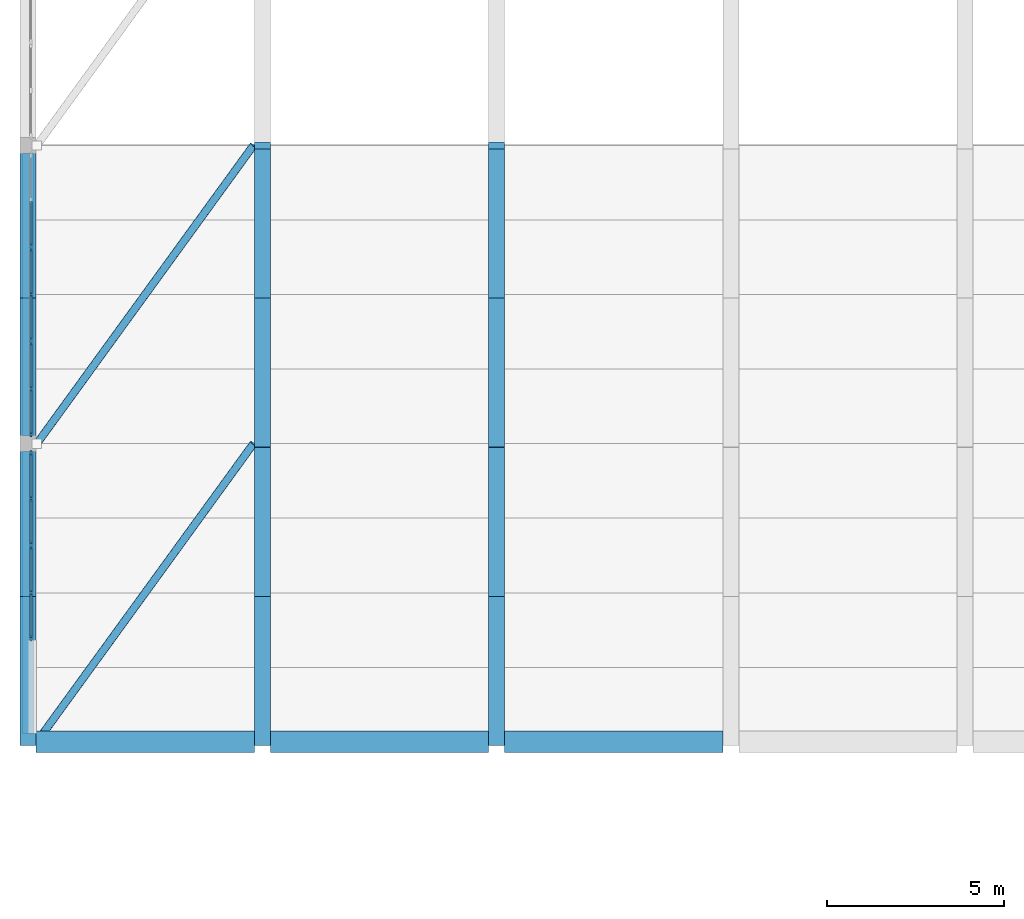
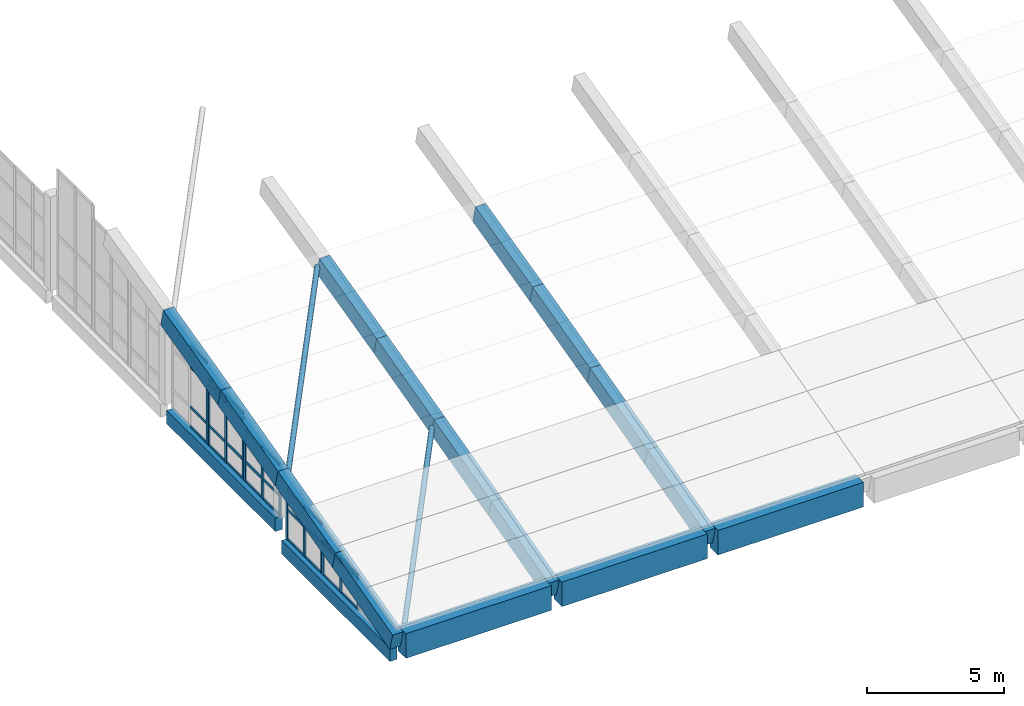
# One storey, part 3 of 78: 45 members, 17 beams, 5 elements without a shape of their own.
"""IFC4 building model written with IfcOpenShell, lengths in metres."""

from ifc_helpers import new_model, si_unit, direction, frame, origin, origin_2d, place, context, subcontext, project, spatial, rectangle, hollow_circle, extrude, material, material_profile, profile_set, type_object, element, aggregate, save


model = new_model("IFC4")

# Units and contexts
model_context = context("Model", 3, precision=1e-05, world=origin(), true_north=direction((0.0, 1.0)))
body_context = subcontext(model_context, "Body", "Model", "MODEL_VIEW")
ifc_project = project(units=[si_unit("LENGTHUNIT", "METRE"), si_unit("AREAUNIT", "SQUARE_METRE"), si_unit("VOLUMEUNIT", "CUBIC_METRE"), si_unit("PLANEANGLEUNIT", "RADIAN"), si_unit("MASSUNIT", "GRAM", prefix="KILO")], contexts=[model_context])

# Site, building, storey
site_placement = place(None, origin())
site = spatial("IfcSite", under=ifc_project, at=site_placement, CompositionType="ELEMENT")
building_placement = place(site_placement, origin())
building = spatial("IfcBuilding", under=site, at=building_placement, Name="Qaldarim Faculty of Natural and Applied Sciences", CompositionType="ELEMENT")
storey_placement = place(building_placement, frame((0.0, 0.0, 18.60009765625)))
storey = spatial("IfcBuildingStorey", under=building, at=storey_placement, Name="L04", CompositionType="ELEMENT", Elevation=18.60009765625)

# Curtain wall, members
ifc_material_1 = material(Name="Anodised aluminium AW-6063", Category="aluminium")
curtain_wall_type_1 = type_object("IfcCurtainWallType", Name="CurtainWallSystem-M1500", PredefinedType="USERDEFINED", material=ifc_material_1)
curtain_wall_1_placement = place(storey_placement, origin())
curtain_wall_1 = element("IfcCurtainWall", 1, at=curtain_wall_1_placement, inside=storey, type_object=curtain_wall_type_1, Name="Curtain wall CW-GABLE-L04-W-Y03-2", ObjectType="STICK CURTAIN WALL", PredefinedType="USERDEFINED")
ifc_material_profile_1 = material_profile(ifc_material_1, rectangle(XDim=0.06005859375, YDim=0.14990234375, at=origin_2d()), Name="ALU-M60x150")
ifc_profile_set_1 = profile_set([ifc_material_profile_1], Name="Anodised aluminium AW-6063")
member_type_1 = type_object("IfcMemberType", Name="Mullion-ALU60x150", PredefinedType="MULLION", material=ifc_profile_set_1)
member_1_placement = place(storey_placement, frame((0.080078125, 22.2900390625, -0.97998046875), z_axis=(0.0, 0.0, 1.0), x_axis=(1.0, 0.0, 0.0)))
member_1 = element("IfcMember", 2, at=member_1_placement, type_object=member_type_1, Name="Mullion 1 of CW-GABLE-L04-W-Y03-2", PredefinedType="MULLION", context=body_context, shape_type="SweptSolid", body=[
    extrude(rectangle(XDim=0.06005859375, YDim=0.14990234375, at=origin_2d()), origin(), (0.0, 0.0, 1.0), 1.554931640625),
])
member_2_placement = place(storey_placement, frame((0.080078125, 21.00244140625, -0.97998046875), z_axis=(0.0, 0.0, 1.0), x_axis=(1.0, 0.0, 0.0)))
member_2 = element("IfcMember", 3, at=member_2_placement, type_object=member_type_1, Name="Mullion 2 of CW-GABLE-L04-W-Y03-2", PredefinedType="MULLION", context=body_context, shape_type="SweptSolid", body=[
    extrude(rectangle(XDim=0.06005859375, YDim=0.14990234375, at=origin_2d()), origin(), (0.0, 0.0, 1.0), 1.554931640625),
])
member_3_placement = place(storey_placement, frame((0.080078125, 19.715087890625, -0.97998046875), z_axis=(0.0, 0.0, 1.0), x_axis=(1.0, 0.0, 0.0)))
member_3 = element("IfcMember", 4, at=member_3_placement, type_object=member_type_1, Name="Mullion 3 of CW-GABLE-L04-W-Y03-2", PredefinedType="MULLION", context=body_context, shape_type="SweptSolid", body=[
    extrude(rectangle(XDim=0.06005859375, YDim=0.14990234375, at=origin_2d()), origin(), (0.0, 0.0, 1.0), 1.554931640625),
])

curtain_wall_2_placement = place(storey_placement, origin())
curtain_wall_2 = element("IfcCurtainWall", 5, at=curtain_wall_2_placement, inside=storey, type_object=curtain_wall_type_1, Name="Curtain wall CW-GABLE-L04-W-Y03-3", ObjectType="STICK CURTAIN WALL", PredefinedType="USERDEFINED")
member_4_placement = place(storey_placement, frame((0.080078125, 24.93994140625, -0.97998046875), z_axis=(0.0, 0.0, 1.0), x_axis=(1.0, 0.0, 0.0)))
member_4 = element("IfcMember", 6, at=member_4_placement, type_object=member_type_1, Name="Mullion 1 of CW-GABLE-L04-W-Y03-3", PredefinedType="MULLION", context=body_context, shape_type="SweptSolid", body=[
    extrude(rectangle(XDim=0.06005859375, YDim=0.14990234375, at=origin_2d()), origin(), (0.0, 0.0, 1.0), 2.244873046875),
])
member_5_placement = place(storey_placement, frame((0.080078125, 23.652587890625, -0.97998046875), z_axis=(0.0, 0.0, 1.0), x_axis=(1.0, 0.0, 0.0)))
member_5 = element("IfcMember", 7, at=member_5_placement, type_object=member_type_1, Name="Mullion 2 of CW-GABLE-L04-W-Y03-3", PredefinedType="MULLION", context=body_context, shape_type="SweptSolid", body=[
    extrude(rectangle(XDim=0.06005859375, YDim=0.14990234375, at=origin_2d()), origin(), (0.0, 0.0, 1.0), 2.244873046875),
])
member_6_placement = place(storey_placement, frame((0.080078125, 22.364990234375, -0.97998046875), z_axis=(0.0, 0.0, 1.0), x_axis=(1.0, 0.0, 0.0)))
member_6 = element("IfcMember", 8, at=member_6_placement, type_object=member_type_1, Name="Mullion 3 of CW-GABLE-L04-W-Y03-3", PredefinedType="MULLION", context=body_context, shape_type="SweptSolid", body=[
    extrude(rectangle(XDim=0.06005859375, YDim=0.14990234375, at=origin_2d()), origin(), (0.0, 0.0, 1.0), 2.244873046875),
])

curtain_wall_type_2 = type_object("IfcCurtainWallType", Name="CurtainWallSystem-M1300", PredefinedType="USERDEFINED", material=ifc_material_1)
curtain_wall_3_placement = place(storey_placement, origin())
curtain_wall_3 = element("IfcCurtainWall", 9, at=curtain_wall_3_placement, inside=storey, type_object=curtain_wall_type_2, Name="Curtain wall CW-GABLE-L04-W-Y04-1", ObjectType="STICK CURTAIN WALL", PredefinedType="USERDEFINED")
member_7_placement = place(storey_placement, frame((0.080078125, 28.034912109375, -0.260009765625), z_axis=(0.0, 0.0, 1.0), x_axis=(1.0, 0.0, 0.0)))
member_7 = element("IfcMember", 10, at=member_7_placement, type_object=member_type_1, Name="Mullion 1 of CW-GABLE-L04-W-Y04-1", PredefinedType="MULLION", context=body_context, shape_type="SweptSolid", body=[
    extrude(rectangle(XDim=0.06005859375, YDim=0.14990234375, at=origin_2d()), origin(), (0.0, 0.0, 1.0), 2.31982421875),
])
member_8_placement = place(storey_placement, frame((0.080078125, 26.74755859375, -0.260009765625), z_axis=(0.0, 0.0, 1.0), x_axis=(1.0, 0.0, 0.0)))
member_8 = element("IfcMember", 11, at=member_8_placement, type_object=member_type_1, Name="Mullion 2 of CW-GABLE-L04-W-Y04-1", PredefinedType="MULLION", context=body_context, shape_type="SweptSolid", body=[
    extrude(rectangle(XDim=0.06005859375, YDim=0.14990234375, at=origin_2d()), origin(), (0.0, 0.0, 1.0), 2.31982421875),
])
member_9_placement = place(storey_placement, frame((0.080078125, 25.4599609375, -0.260009765625), z_axis=(0.0, 0.0, 1.0), x_axis=(1.0, 0.0, 0.0)))
member_9 = element("IfcMember", 12, at=member_9_placement, type_object=member_type_1, Name="Mullion 3 of CW-GABLE-L04-W-Y04-1", PredefinedType="MULLION", context=body_context, shape_type="SweptSolid", body=[
    extrude(rectangle(XDim=0.06005859375, YDim=0.14990234375, at=origin_2d()), origin(), (0.0, 0.0, 1.0), 2.31982421875),
])

curtain_wall_4_placement = place(storey_placement, origin())
curtain_wall_4 = element("IfcCurtainWall", 13, at=curtain_wall_4_placement, inside=storey, type_object=curtain_wall_type_2, Name="Curtain wall CW-GABLE-L04-W-Y04-2", ObjectType="STICK CURTAIN WALL", PredefinedType="USERDEFINED")
member_10_placement = place(storey_placement, frame((0.080078125, 30.68994140625, -0.260009765625), z_axis=(0.0, 0.0, 1.0), x_axis=(1.0, 0.0, 0.0)))
member_10 = element("IfcMember", 14, at=member_10_placement, type_object=member_type_1, Name="Mullion 1 of CW-GABLE-L04-W-Y04-2", PredefinedType="MULLION", context=body_context, shape_type="SweptSolid", body=[
    extrude(rectangle(XDim=0.06005859375, YDim=0.14990234375, at=origin_2d()), origin(), (0.0, 0.0, 1.0), 2.989990234375),
])
member_11_placement = place(storey_placement, frame((0.080078125, 29.402587890625, -0.260009765625), z_axis=(0.0, 0.0, 1.0), x_axis=(1.0, 0.0, 0.0)))
member_11 = element("IfcMember", 15, at=member_11_placement, type_object=member_type_1, Name="Mullion 2 of CW-GABLE-L04-W-Y04-2", PredefinedType="MULLION", context=body_context, shape_type="SweptSolid", body=[
    extrude(rectangle(XDim=0.06005859375, YDim=0.14990234375, at=origin_2d()), origin(), (0.0, 0.0, 1.0), 2.989990234375),
])
member_12_placement = place(storey_placement, frame((0.080078125, 28.114990234375, -0.260009765625), z_axis=(0.0, 0.0, 1.0), x_axis=(1.0, 0.0, 0.0)))
member_12 = element("IfcMember", 16, at=member_12_placement, type_object=member_type_1, Name="Mullion 3 of CW-GABLE-L04-W-Y04-2", PredefinedType="MULLION", context=body_context, shape_type="SweptSolid", body=[
    extrude(rectangle(XDim=0.06005859375, YDim=0.14990234375, at=origin_2d()), origin(), (0.0, 0.0, 1.0), 2.989990234375),
])

# Curtain wall, member
curtain_wall_5_placement = place(storey_placement, origin())
curtain_wall_5 = element("IfcCurtainWall", 17, at=curtain_wall_5_placement, inside=storey, type_object=curtain_wall_type_2, Name="Curtain wall CW-GABLE-L04-W-Y04-3", ObjectType="STICK CURTAIN WALL", PredefinedType="USERDEFINED")
member_13_placement = place(storey_placement, frame((0.080078125, 30.764892578125, -0.260009765625), z_axis=(0.0, 0.0, 1.0), x_axis=(1.0, 0.0, 0.0)))
member_13 = element("IfcMember", 18, at=member_13_placement, type_object=member_type_1, Name="Mullion 3 of CW-GABLE-L04-W-Y04-3", PredefinedType="MULLION", context=body_context, shape_type="SweptSolid", body=[
    extrude(rectangle(XDim=0.06005859375, YDim=0.14990234375, at=origin_2d()), origin(), (0.0, 0.0, 1.0), 3.64501953125),
])

# Beams
ifc_material_2 = material(Name="Concrete C50/60", Category="concrete")
ifc_material_profile_2 = material_profile(ifc_material_2, rectangle(XDim=0.449951171875, YDim=0.800048828125, at=origin_2d()), Name="RC-RIB450x800")
ifc_profile_set_2 = profile_set([ifc_material_profile_2], Name="Concrete C50/60")
beam_type_1 = type_object("IfcBeamType", Name="ShellArchRib-RC450x800", PredefinedType="BEAM", material=ifc_profile_set_2)
beam_1_placement = place(storey_placement, frame((0.0, 16.800048828125, -0.56005859375), z_axis=(0.0, 0.965947299715, 0.258738891884), x_axis=(-1.0, 0.0, 0.0)))
element("IfcBeam", 19, at=beam_1_placement, inside=storey, type_object=beam_type_1, Name="Shell arch rib 1 S segment 1", PredefinedType="BEAM", context=body_context, shape_type="SweptSolid", body=[
    extrude(rectangle(XDim=0.449951171875, YDim=0.800048828125, at=origin_2d()), origin(), (0.0, 0.0, 1.0), 4.347900390625),
])
beam_2_placement = place(storey_placement, frame((0.0, 21.0, 0.56494140625), z_axis=(0.0, 0.967379770431, 0.253330574074), x_axis=(-1.0, 0.0, 0.0)))
element("IfcBeam", 20, at=beam_2_placement, inside=storey, type_object=beam_type_1, Name="Shell arch rib 1 S segment 2", PredefinedType="BEAM", context=body_context, shape_type="SweptSolid", body=[
    extrude(rectangle(XDim=0.449951171875, YDim=0.800048828125, at=origin_2d()), origin(), (0.0, 0.0, 1.0), 4.341552734375),
])
beam_3_placement = place(storey_placement, frame((0.0, 25.199951171875, 1.664794921875), z_axis=(0.0, 0.968758982229, 0.248004101479), x_axis=(-1.0, 0.0, 0.0)))
element("IfcBeam", 21, at=beam_3_placement, inside=storey, type_object=beam_type_1, Name="Shell arch rib 1 S segment 3", PredefinedType="BEAM", context=body_context, shape_type="SweptSolid", body=[
    extrude(rectangle(XDim=0.449951171875, YDim=0.800048828125, at=origin_2d()), origin(), (0.0, 0.0, 1.0), 4.33544921875),
])
beam_4_placement = place(storey_placement, frame((0.0, 29.39990234375, 2.739990234375), z_axis=(0.0, 0.970697526179, 0.240304624738), x_axis=(-1.0, 0.0, 0.0)))
element("IfcBeam", 22, at=beam_4_placement, inside=storey, type_object=beam_type_1, Name="Shell arch rib 1 S segment 4", PredefinedType="BEAM", context=body_context, shape_type="SweptSolid", body=[
    extrude(rectangle(XDim=0.449951171875, YDim=0.800048828125, at=origin_2d()), origin(), (0.0, 0.0, 1.0), 4.326904296875),
])
beam_5_placement = place(storey_placement, frame((6.60009765625, 16.800048828125, -0.56005859375), z_axis=(0.0, 0.965947299715, 0.258738891884), x_axis=(-1.0, 0.0, 0.0)))
element("IfcBeam", 23, at=beam_5_placement, inside=storey, type_object=beam_type_1, Name="Shell arch rib 2 S segment 1", PredefinedType="BEAM", context=body_context, shape_type="SweptSolid", body=[
    extrude(rectangle(XDim=0.449951171875, YDim=0.800048828125, at=origin_2d()), origin(), (0.0, 0.0, 1.0), 4.347900390625),
])
beam_6_placement = place(storey_placement, frame((6.60009765625, 21.0, 0.56494140625), z_axis=(0.0, 0.967379770431, 0.253330574074), x_axis=(-1.0, 0.0, 0.0)))
element("IfcBeam", 24, at=beam_6_placement, inside=storey, type_object=beam_type_1, Name="Shell arch rib 2 S segment 2", PredefinedType="BEAM", context=body_context, shape_type="SweptSolid", body=[
    extrude(rectangle(XDim=0.449951171875, YDim=0.800048828125, at=origin_2d()), origin(), (0.0, 0.0, 1.0), 4.341552734375),
])
beam_7_placement = place(storey_placement, frame((6.60009765625, 25.199951171875, 1.664794921875), z_axis=(0.0, 0.968758982229, 0.248004101479), x_axis=(-1.0, 0.0, 0.0)))
element("IfcBeam", 25, at=beam_7_placement, inside=storey, type_object=beam_type_1, Name="Shell arch rib 2 S segment 3", PredefinedType="BEAM", context=body_context, shape_type="SweptSolid", body=[
    extrude(rectangle(XDim=0.449951171875, YDim=0.800048828125, at=origin_2d()), origin(), (0.0, 0.0, 1.0), 4.33544921875),
])
beam_8_placement = place(storey_placement, frame((6.60009765625, 29.39990234375, 2.739990234375), z_axis=(0.0, 0.970697526179, 0.240304624738), x_axis=(-1.0, 0.0, 0.0)))
element("IfcBeam", 26, at=beam_8_placement, inside=storey, type_object=beam_type_1, Name="Shell arch rib 2 S segment 4", PredefinedType="BEAM", context=body_context, shape_type="SweptSolid", body=[
    extrude(rectangle(XDim=0.449951171875, YDim=0.800048828125, at=origin_2d()), origin(), (0.0, 0.0, 1.0), 4.326904296875),
])
beam_9_placement = place(storey_placement, frame((13.199951171875, 16.800048828125, -0.56005859375), z_axis=(0.0, 0.965947299715, 0.258738891884), x_axis=(-1.0, 0.0, 0.0)))
element("IfcBeam", 27, at=beam_9_placement, inside=storey, type_object=beam_type_1, Name="Shell arch rib 3 S segment 1", PredefinedType="BEAM", context=body_context, shape_type="SweptSolid", body=[
    extrude(rectangle(XDim=0.449951171875, YDim=0.800048828125, at=origin_2d()), origin(), (0.0, 0.0, 1.0), 4.347900390625),
])
beam_10_placement = place(storey_placement, frame((13.199951171875, 21.0, 0.56494140625), z_axis=(0.0, 0.967379770431, 0.253330574074), x_axis=(-1.0, 0.0, 0.0)))
element("IfcBeam", 28, at=beam_10_placement, inside=storey, type_object=beam_type_1, Name="Shell arch rib 3 S segment 2", PredefinedType="BEAM", context=body_context, shape_type="SweptSolid", body=[
    extrude(rectangle(XDim=0.449951171875, YDim=0.800048828125, at=origin_2d()), origin(), (0.0, 0.0, 1.0), 4.341552734375),
])
beam_11_placement = place(storey_placement, frame((13.199951171875, 25.199951171875, 1.664794921875), z_axis=(0.0, 0.968758982229, 0.248004101479), x_axis=(-1.0, 0.0, 0.0)))
element("IfcBeam", 29, at=beam_11_placement, inside=storey, type_object=beam_type_1, Name="Shell arch rib 3 S segment 3", PredefinedType="BEAM", context=body_context, shape_type="SweptSolid", body=[
    extrude(rectangle(XDim=0.449951171875, YDim=0.800048828125, at=origin_2d()), origin(), (0.0, 0.0, 1.0), 4.33544921875),
])
beam_12_placement = place(storey_placement, frame((13.199951171875, 29.39990234375, 2.739990234375), z_axis=(0.0, 0.970697526179, 0.240304624738), x_axis=(-1.0, 0.0, 0.0)))
element("IfcBeam", 30, at=beam_12_placement, inside=storey, type_object=beam_type_1, Name="Shell arch rib 3 S segment 4", PredefinedType="BEAM", context=body_context, shape_type="SweptSolid", body=[
    extrude(rectangle(XDim=0.449951171875, YDim=0.800048828125, at=origin_2d()), origin(), (0.0, 0.0, 1.0), 4.326904296875),
])
ifc_material_profile_3 = material_profile(ifc_material_2, rectangle(XDim=0.60009765625, YDim=1.10009765625, at=origin_2d()), Name="RC-EB600x1100")
ifc_profile_set_3 = profile_set([ifc_material_profile_3], Name="Concrete C50/60")
beam_type_2 = type_object("IfcBeamType", Name="ShellEdgeBeam-RC600x1100", PredefinedType="SPANDREL", material=ifc_profile_set_3)
beam_13_placement = place(storey_placement, frame((0.22509765625, 16.800048828125, -0.7001953125), z_axis=(1.0, 0.0, 0.0), x_axis=(0.0, 1.0, 0.0)))
element("IfcBeam", 31, at=beam_13_placement, inside=storey, type_object=beam_type_2, Name="Shell springing edge beam S bay 1", PredefinedType="SPANDREL", context=body_context, shape_type="SweptSolid", body=[
    extrude(rectangle(XDim=0.60009765625, YDim=1.10009765625, at=origin_2d()), origin(), (0.0, 0.0, 1.0), 6.14990234375),
])
beam_14_placement = place(storey_placement, frame((6.824951171875, 16.800048828125, -0.7001953125), z_axis=(1.0, 0.0, 0.0), x_axis=(0.0, 1.0, 0.0)))
element("IfcBeam", 32, at=beam_14_placement, inside=storey, type_object=beam_type_2, Name="Shell springing edge beam S bay 2", PredefinedType="SPANDREL", context=body_context, shape_type="SweptSolid", body=[
    extrude(rectangle(XDim=0.60009765625, YDim=1.10009765625, at=origin_2d()), origin(), (0.0, 0.0, 1.0), 6.150146484375),
])
beam_15_placement = place(storey_placement, frame((13.425048828125, 16.800048828125, -0.7001953125), z_axis=(1.0, 0.0, 0.0), x_axis=(0.0, 1.0, 0.0)))
element("IfcBeam", 33, at=beam_15_placement, inside=storey, type_object=beam_type_2, Name="Shell springing edge beam S bay 3", PredefinedType="SPANDREL", context=body_context, shape_type="SweptSolid", body=[
    extrude(rectangle(XDim=0.60009765625, YDim=1.10009765625, at=origin_2d()), origin(), (0.0, 0.0, 1.0), 6.14990234375),
])

# Members
ifc_material_3 = material(Name="Structural steel S355", Category="steel")
ifc_material_profile_4 = material_profile(ifc_material_3, hollow_circle(Radius=0.109619140625, WallThickness=0.012451171875, at=origin_2d()), Name="CHS 219.1x12.5")
ifc_profile_set_4 = profile_set([ifc_material_profile_4], Name="Structural steel S355")
member_type_2 = type_object("IfcMemberType", Name="ShellStrut-CHS219x12-5", PredefinedType="STRUT", material=ifc_profile_set_4)
member_14_placement = place(storey_placement, frame((0.25, 16.800048828125, -0.56005859375), z_axis=(0.574562416927, 0.791178840823, 0.209556844051), x_axis=(-0.809144712888, 0.587609422665, 0.0)))
element("IfcMember", 34, at=member_14_placement, inside=storey, type_object=member_type_2, Name="Shell wind strut bay 1 S1", PredefinedType="STRUT", context=body_context, shape_type="SweptSolid", body=[
    extrude(hollow_circle(Radius=0.109619140625, WallThickness=0.012451171875, at=origin_2d()), origin(), (0.0, 0.0, 1.0), 10.616943359375),
])
member_15_placement = place(storey_placement, frame((0.25, 25.199951171875, 1.664794921875), z_axis=(0.575770929289, 0.792866019532, 0.19962793406), x_axis=(-0.809152832909, 0.587598241144, 0.0)))
element("IfcMember", 35, at=member_15_placement, inside=storey, type_object=member_type_2, Name="Shell wind strut bay 1 S2", PredefinedType="STRUT", context=body_context, shape_type="SweptSolid", body=[
    extrude(hollow_circle(Radius=0.109619140625, WallThickness=0.012451171875, at=origin_2d()), origin(), (0.0, 0.0, 1.0), 10.5947265625),
])

# Beams
ifc_material_4 = material(Name="Precast concrete C40/50", Category="concrete")
ifc_material_profile_5 = material_profile(ifc_material_4, rectangle(XDim=0.300048828125, YDim=0.60009765625, at=origin_2d()), Name="RC-SP300x600")
ifc_profile_set_5 = profile_set([ifc_material_profile_5], Name="Precast concrete C40/50")
beam_type_3 = type_object("IfcBeamType", Name="SpandrelBeam-RC300x600", PredefinedType="SPANDREL", material=ifc_profile_set_5)
beam_16_placement = place(storey_placement, frame((0.0, 17.02490234375, -1.280029296875), z_axis=(0.0, 1.0, 0.0), x_axis=(-1.0, 0.0, 0.0)))
element("IfcBeam", 36, at=beam_16_placement, inside=storey, type_object=beam_type_3, Name="Shell gable tie beam L03 X01/Y03-Y04", PredefinedType="SPANDREL", context=body_context, shape_type="SweptSolid", body=[
    extrude(rectangle(XDim=0.300048828125, YDim=0.60009765625, at=origin_2d()), origin(), (0.0, 0.0, 1.0), 7.9501953125),
])
beam_17_placement = place(storey_placement, frame((0.0, 25.425048828125, -0.56005859375), z_axis=(0.0, 1.0, 0.0), x_axis=(-1.0, 0.0, 0.0)))
element("IfcBeam", 37, at=beam_17_placement, inside=storey, type_object=beam_type_3, Name="Shell gable tie beam L03 X01/Y04-Y05", PredefinedType="SPANDREL", context=body_context, shape_type="SweptSolid", body=[
    extrude(rectangle(XDim=0.300048828125, YDim=0.60009765625, at=origin_2d()), origin(), (0.0, 0.0, 1.0), 7.949951171875),
])

# Member
ifc_material_profile_6 = material_profile(ifc_material_1, rectangle(XDim=0.06005859375, YDim=0.1201171875, at=origin_2d()), Name="ALU-T60x120")
ifc_profile_set_6 = profile_set([ifc_material_profile_6], Name="Anodised aluminium AW-6063")
member_type_3 = type_object("IfcMemberType", Name="Transom-ALU60x120", PredefinedType="USERDEFINED", material=ifc_profile_set_6)
member_16_placement = place(storey_placement, frame((0.080078125, 22.260009765625, -0.9501953125), z_axis=(0.0, -1.0, 0.0), x_axis=(1.0, 0.0, 0.0)))
member_16 = element("IfcMember", 38, at=member_16_placement, type_object=member_type_3, Name="Transom 1-1 of CW-GABLE-L04-W-Y03-2", ObjectType="TRANSOM", PredefinedType="USERDEFINED", context=body_context, shape_type="SweptSolid", body=[
    extrude(rectangle(XDim=0.06005859375, YDim=0.1201171875, at=origin_2d()), origin(), (0.0, 0.0, 1.0), 1.2275390625),
])

member_17_placement = place(storey_placement, frame((0.080078125, 22.260009765625, 0.369873046875), z_axis=(0.0, -1.0, 0.0), x_axis=(1.0, 0.0, 0.0)))
member_17 = element("IfcMember", 39, at=member_17_placement, type_object=member_type_3, Name="Transom 1-2 of CW-GABLE-L04-W-Y03-2", ObjectType="TRANSOM", PredefinedType="USERDEFINED", context=body_context, shape_type="SweptSolid", body=[
    extrude(rectangle(XDim=0.06005859375, YDim=0.1201171875, at=origin_2d()), origin(), (0.0, 0.0, 1.0), 1.2275390625),
])

member_18_placement = place(storey_placement, frame((0.080078125, 22.260009765625, 0.544921875), z_axis=(0.0, -1.0, 0.0), x_axis=(1.0, 0.0, 0.0)))
member_18 = element("IfcMember", 40, at=member_18_placement, type_object=member_type_3, Name="Transom 1-3 of CW-GABLE-L04-W-Y03-2", ObjectType="TRANSOM", PredefinedType="USERDEFINED", context=body_context, shape_type="SweptSolid", body=[
    extrude(rectangle(XDim=0.06005859375, YDim=0.1201171875, at=origin_2d()), origin(), (0.0, 0.0, 1.0), 1.2275390625),
])

member_19_placement = place(storey_placement, frame((0.080078125, 20.972412109375, -0.9501953125), z_axis=(0.0, -1.0, 0.0), x_axis=(1.0, 0.0, 0.0)))
member_19 = element("IfcMember", 41, at=member_19_placement, type_object=member_type_3, Name="Transom 2-1 of CW-GABLE-L04-W-Y03-2", ObjectType="TRANSOM", PredefinedType="USERDEFINED", context=body_context, shape_type="SweptSolid", body=[
    extrude(rectangle(XDim=0.06005859375, YDim=0.1201171875, at=origin_2d()), origin(), (0.0, 0.0, 1.0), 1.227294921875),
])

member_20_placement = place(storey_placement, frame((0.080078125, 20.972412109375, 0.369873046875), z_axis=(0.0, -1.0, 0.0), x_axis=(1.0, 0.0, 0.0)))
member_20 = element("IfcMember", 42, at=member_20_placement, type_object=member_type_3, Name="Transom 2-2 of CW-GABLE-L04-W-Y03-2", ObjectType="TRANSOM", PredefinedType="USERDEFINED", context=body_context, shape_type="SweptSolid", body=[
    extrude(rectangle(XDim=0.06005859375, YDim=0.1201171875, at=origin_2d()), origin(), (0.0, 0.0, 1.0), 1.227294921875),
])

member_21_placement = place(storey_placement, frame((0.080078125, 20.972412109375, 0.544921875), z_axis=(0.0, -1.0, 0.0), x_axis=(1.0, 0.0, 0.0)))
member_21 = element("IfcMember", 43, at=member_21_placement, type_object=member_type_3, Name="Transom 2-3 of CW-GABLE-L04-W-Y03-2", ObjectType="TRANSOM", PredefinedType="USERDEFINED", context=body_context, shape_type="SweptSolid", body=[
    extrude(rectangle(XDim=0.06005859375, YDim=0.1201171875, at=origin_2d()), origin(), (0.0, 0.0, 1.0), 1.227294921875),
])

aggregate(curtain_wall_1, [member_1, member_2, member_3, member_16, member_17, member_18, member_19, member_20, member_21])

member_22_placement = place(storey_placement, frame((0.080078125, 24.909912109375, -0.9501953125), z_axis=(0.0, -1.0, 0.0), x_axis=(1.0, 0.0, 0.0)))
member_22 = element("IfcMember", 44, at=member_22_placement, type_object=member_type_3, Name="Transom 1-1 of CW-GABLE-L04-W-Y03-3", ObjectType="TRANSOM", PredefinedType="USERDEFINED", context=body_context, shape_type="SweptSolid", body=[
    extrude(rectangle(XDim=0.06005859375, YDim=0.1201171875, at=origin_2d()), origin(), (0.0, 0.0, 1.0), 1.227294921875),
])

member_23_placement = place(storey_placement, frame((0.080078125, 24.909912109375, 0.369873046875), z_axis=(0.0, -1.0, 0.0), x_axis=(1.0, 0.0, 0.0)))
member_23 = element("IfcMember", 45, at=member_23_placement, type_object=member_type_3, Name="Transom 1-2 of CW-GABLE-L04-W-Y03-3", ObjectType="TRANSOM", PredefinedType="USERDEFINED", context=body_context, shape_type="SweptSolid", body=[
    extrude(rectangle(XDim=0.06005859375, YDim=0.1201171875, at=origin_2d()), origin(), (0.0, 0.0, 1.0), 1.227294921875),
])

member_24_placement = place(storey_placement, frame((0.080078125, 24.909912109375, 1.23486328125), z_axis=(0.0, -1.0, 0.0), x_axis=(1.0, 0.0, 0.0)))
member_24 = element("IfcMember", 46, at=member_24_placement, type_object=member_type_3, Name="Transom 1-3 of CW-GABLE-L04-W-Y03-3", ObjectType="TRANSOM", PredefinedType="USERDEFINED", context=body_context, shape_type="SweptSolid", body=[
    extrude(rectangle(XDim=0.06005859375, YDim=0.1201171875, at=origin_2d()), origin(), (0.0, 0.0, 1.0), 1.227294921875),
])

member_25_placement = place(storey_placement, frame((0.080078125, 23.62255859375, -0.9501953125), z_axis=(0.0, -1.0, 0.0), x_axis=(1.0, 0.0, 0.0)))
member_25 = element("IfcMember", 47, at=member_25_placement, type_object=member_type_3, Name="Transom 2-1 of CW-GABLE-L04-W-Y03-3", ObjectType="TRANSOM", PredefinedType="USERDEFINED", context=body_context, shape_type="SweptSolid", body=[
    extrude(rectangle(XDim=0.06005859375, YDim=0.1201171875, at=origin_2d()), origin(), (0.0, 0.0, 1.0), 1.2275390625),
])

member_26_placement = place(storey_placement, frame((0.080078125, 23.62255859375, 0.369873046875), z_axis=(0.0, -1.0, 0.0), x_axis=(1.0, 0.0, 0.0)))
member_26 = element("IfcMember", 48, at=member_26_placement, type_object=member_type_3, Name="Transom 2-2 of CW-GABLE-L04-W-Y03-3", ObjectType="TRANSOM", PredefinedType="USERDEFINED", context=body_context, shape_type="SweptSolid", body=[
    extrude(rectangle(XDim=0.06005859375, YDim=0.1201171875, at=origin_2d()), origin(), (0.0, 0.0, 1.0), 1.2275390625),
])

member_27_placement = place(storey_placement, frame((0.080078125, 23.62255859375, 1.23486328125), z_axis=(0.0, -1.0, 0.0), x_axis=(1.0, 0.0, 0.0)))
member_27 = element("IfcMember", 49, at=member_27_placement, type_object=member_type_3, Name="Transom 2-3 of CW-GABLE-L04-W-Y03-3", ObjectType="TRANSOM", PredefinedType="USERDEFINED", context=body_context, shape_type="SweptSolid", body=[
    extrude(rectangle(XDim=0.06005859375, YDim=0.1201171875, at=origin_2d()), origin(), (0.0, 0.0, 1.0), 1.2275390625),
])

aggregate(curtain_wall_2, [member_4, member_5, member_6, member_22, member_23, member_24, member_25, member_26, member_27])

member_28_placement = place(storey_placement, frame((0.080078125, 28.0048828125, -0.22998046875), z_axis=(0.0, -1.0, 0.0), x_axis=(1.0, 0.0, 0.0)))
member_28 = element("IfcMember", 50, at=member_28_placement, type_object=member_type_3, Name="Transom 1-1 of CW-GABLE-L04-W-Y04-1", ObjectType="TRANSOM", PredefinedType="USERDEFINED", context=body_context, shape_type="SweptSolid", body=[
    extrude(rectangle(XDim=0.06005859375, YDim=0.1201171875, at=origin_2d()), origin(), (0.0, 0.0, 1.0), 1.227294921875),
])

member_29_placement = place(storey_placement, frame((0.080078125, 28.0048828125, 0.639892578125), z_axis=(0.0, -1.0, 0.0), x_axis=(1.0, 0.0, 0.0)))
member_29 = element("IfcMember", 51, at=member_29_placement, type_object=member_type_3, Name="Transom 1-2 of CW-GABLE-L04-W-Y04-1", ObjectType="TRANSOM", PredefinedType="USERDEFINED", context=body_context, shape_type="SweptSolid", body=[
    extrude(rectangle(XDim=0.06005859375, YDim=0.1201171875, at=origin_2d()), origin(), (0.0, 0.0, 1.0), 1.227294921875),
])

member_30_placement = place(storey_placement, frame((0.080078125, 28.0048828125, 2.02978515625), z_axis=(0.0, -1.0, 0.0), x_axis=(1.0, 0.0, 0.0)))
member_30 = element("IfcMember", 52, at=member_30_placement, type_object=member_type_3, Name="Transom 1-3 of CW-GABLE-L04-W-Y04-1", ObjectType="TRANSOM", PredefinedType="USERDEFINED", context=body_context, shape_type="SweptSolid", body=[
    extrude(rectangle(XDim=0.06005859375, YDim=0.1201171875, at=origin_2d()), origin(), (0.0, 0.0, 1.0), 1.227294921875),
])

member_31_placement = place(storey_placement, frame((0.080078125, 26.717529296875, -0.22998046875), z_axis=(0.0, -1.0, 0.0), x_axis=(1.0, 0.0, 0.0)))
member_31 = element("IfcMember", 53, at=member_31_placement, type_object=member_type_3, Name="Transom 2-1 of CW-GABLE-L04-W-Y04-1", ObjectType="TRANSOM", PredefinedType="USERDEFINED", context=body_context, shape_type="SweptSolid", body=[
    extrude(rectangle(XDim=0.06005859375, YDim=0.1201171875, at=origin_2d()), origin(), (0.0, 0.0, 1.0), 1.2275390625),
])

member_32_placement = place(storey_placement, frame((0.080078125, 26.717529296875, 0.639892578125), z_axis=(0.0, -1.0, 0.0), x_axis=(1.0, 0.0, 0.0)))
member_32 = element("IfcMember", 54, at=member_32_placement, type_object=member_type_3, Name="Transom 2-2 of CW-GABLE-L04-W-Y04-1", ObjectType="TRANSOM", PredefinedType="USERDEFINED", context=body_context, shape_type="SweptSolid", body=[
    extrude(rectangle(XDim=0.06005859375, YDim=0.1201171875, at=origin_2d()), origin(), (0.0, 0.0, 1.0), 1.2275390625),
])

member_33_placement = place(storey_placement, frame((0.080078125, 26.717529296875, 2.02978515625), z_axis=(0.0, -1.0, 0.0), x_axis=(1.0, 0.0, 0.0)))
member_33 = element("IfcMember", 55, at=member_33_placement, type_object=member_type_3, Name="Transom 2-3 of CW-GABLE-L04-W-Y04-1", ObjectType="TRANSOM", PredefinedType="USERDEFINED", context=body_context, shape_type="SweptSolid", body=[
    extrude(rectangle(XDim=0.06005859375, YDim=0.1201171875, at=origin_2d()), origin(), (0.0, 0.0, 1.0), 1.2275390625),
])

aggregate(curtain_wall_3, [member_7, member_8, member_9, member_28, member_29, member_30, member_31, member_32, member_33])

member_34_placement = place(storey_placement, frame((0.080078125, 30.659912109375, -0.22998046875), z_axis=(0.0, -1.0, 0.0), x_axis=(1.0, 0.0, 0.0)))
member_34 = element("IfcMember", 56, at=member_34_placement, type_object=member_type_3, Name="Transom 1-1 of CW-GABLE-L04-W-Y04-2", ObjectType="TRANSOM", PredefinedType="USERDEFINED", context=body_context, shape_type="SweptSolid", body=[
    extrude(rectangle(XDim=0.06005859375, YDim=0.1201171875, at=origin_2d()), origin(), (0.0, 0.0, 1.0), 1.227294921875),
])

member_35_placement = place(storey_placement, frame((0.080078125, 30.659912109375, 0.639892578125), z_axis=(0.0, -1.0, 0.0), x_axis=(1.0, 0.0, 0.0)))
member_35 = element("IfcMember", 57, at=member_35_placement, type_object=member_type_3, Name="Transom 1-2 of CW-GABLE-L04-W-Y04-2", ObjectType="TRANSOM", PredefinedType="USERDEFINED", context=body_context, shape_type="SweptSolid", body=[
    extrude(rectangle(XDim=0.06005859375, YDim=0.1201171875, at=origin_2d()), origin(), (0.0, 0.0, 1.0), 1.227294921875),
])

member_36_placement = place(storey_placement, frame((0.080078125, 30.659912109375, 2.43994140625), z_axis=(0.0, -1.0, 0.0), x_axis=(1.0, 0.0, 0.0)))
member_36 = element("IfcMember", 58, at=member_36_placement, type_object=member_type_3, Name="Transom 1-3 of CW-GABLE-L04-W-Y04-2", ObjectType="TRANSOM", PredefinedType="USERDEFINED", context=body_context, shape_type="SweptSolid", body=[
    extrude(rectangle(XDim=0.06005859375, YDim=0.1201171875, at=origin_2d()), origin(), (0.0, 0.0, 1.0), 1.227294921875),
])

member_37_placement = place(storey_placement, frame((0.080078125, 30.659912109375, 2.699951171875), z_axis=(0.0, -1.0, 0.0), x_axis=(1.0, 0.0, 0.0)))
member_37 = element("IfcMember", 59, at=member_37_placement, type_object=member_type_3, Name="Transom 1-4 of CW-GABLE-L04-W-Y04-2", ObjectType="TRANSOM", PredefinedType="USERDEFINED", context=body_context, shape_type="SweptSolid", body=[
    extrude(rectangle(XDim=0.06005859375, YDim=0.1201171875, at=origin_2d()), origin(), (0.0, 0.0, 1.0), 1.227294921875),
])

member_38_placement = place(storey_placement, frame((0.080078125, 29.37255859375, -0.22998046875), z_axis=(0.0, -1.0, 0.0), x_axis=(1.0, 0.0, 0.0)))
member_38 = element("IfcMember", 60, at=member_38_placement, type_object=member_type_3, Name="Transom 2-1 of CW-GABLE-L04-W-Y04-2", ObjectType="TRANSOM", PredefinedType="USERDEFINED", context=body_context, shape_type="SweptSolid", body=[
    extrude(rectangle(XDim=0.06005859375, YDim=0.1201171875, at=origin_2d()), origin(), (0.0, 0.0, 1.0), 1.2275390625),
])

member_39_placement = place(storey_placement, frame((0.080078125, 29.37255859375, 0.639892578125), z_axis=(0.0, -1.0, 0.0), x_axis=(1.0, 0.0, 0.0)))
member_39 = element("IfcMember", 61, at=member_39_placement, type_object=member_type_3, Name="Transom 2-2 of CW-GABLE-L04-W-Y04-2", ObjectType="TRANSOM", PredefinedType="USERDEFINED", context=body_context, shape_type="SweptSolid", body=[
    extrude(rectangle(XDim=0.06005859375, YDim=0.1201171875, at=origin_2d()), origin(), (0.0, 0.0, 1.0), 1.2275390625),
])

member_40_placement = place(storey_placement, frame((0.080078125, 29.37255859375, 2.43994140625), z_axis=(0.0, -1.0, 0.0), x_axis=(1.0, 0.0, 0.0)))
member_40 = element("IfcMember", 62, at=member_40_placement, type_object=member_type_3, Name="Transom 2-3 of CW-GABLE-L04-W-Y04-2", ObjectType="TRANSOM", PredefinedType="USERDEFINED", context=body_context, shape_type="SweptSolid", body=[
    extrude(rectangle(XDim=0.06005859375, YDim=0.1201171875, at=origin_2d()), origin(), (0.0, 0.0, 1.0), 1.2275390625),
])

member_41_placement = place(storey_placement, frame((0.080078125, 29.37255859375, 2.699951171875), z_axis=(0.0, -1.0, 0.0), x_axis=(1.0, 0.0, 0.0)))
member_41 = element("IfcMember", 63, at=member_41_placement, type_object=member_type_3, Name="Transom 2-4 of CW-GABLE-L04-W-Y04-2", ObjectType="TRANSOM", PredefinedType="USERDEFINED", context=body_context, shape_type="SweptSolid", body=[
    extrude(rectangle(XDim=0.06005859375, YDim=0.1201171875, at=origin_2d()), origin(), (0.0, 0.0, 1.0), 1.2275390625),
])

aggregate(curtain_wall_4, [member_10, member_11, member_12, member_34, member_35, member_36, member_37, member_38, member_39, member_40, member_41])

member_42_placement = place(storey_placement, frame((0.080078125, 32.0224609375, -0.22998046875), z_axis=(0.0, -1.0, 0.0), x_axis=(1.0, 0.0, 0.0)))
member_42 = element("IfcMember", 64, at=member_42_placement, type_object=member_type_3, Name="Transom 2-1 of CW-GABLE-L04-W-Y04-3", ObjectType="TRANSOM", PredefinedType="USERDEFINED", context=body_context, shape_type="SweptSolid", body=[
    extrude(rectangle(XDim=0.06005859375, YDim=0.1201171875, at=origin_2d()), origin(), (0.0, 0.0, 1.0), 1.2275390625),
])

member_43_placement = place(storey_placement, frame((0.080078125, 32.0224609375, 0.639892578125), z_axis=(0.0, -1.0, 0.0), x_axis=(1.0, 0.0, 0.0)))
member_43 = element("IfcMember", 65, at=member_43_placement, type_object=member_type_3, Name="Transom 2-2 of CW-GABLE-L04-W-Y04-3", ObjectType="TRANSOM", PredefinedType="USERDEFINED", context=body_context, shape_type="SweptSolid", body=[
    extrude(rectangle(XDim=0.06005859375, YDim=0.1201171875, at=origin_2d()), origin(), (0.0, 0.0, 1.0), 1.2275390625),
])

member_44_placement = place(storey_placement, frame((0.080078125, 32.0224609375, 2.43994140625), z_axis=(0.0, -1.0, 0.0), x_axis=(1.0, 0.0, 0.0)))
member_44 = element("IfcMember", 66, at=member_44_placement, type_object=member_type_3, Name="Transom 2-3 of CW-GABLE-L04-W-Y04-3", ObjectType="TRANSOM", PredefinedType="USERDEFINED", context=body_context, shape_type="SweptSolid", body=[
    extrude(rectangle(XDim=0.06005859375, YDim=0.1201171875, at=origin_2d()), origin(), (0.0, 0.0, 1.0), 1.2275390625),
])

member_45_placement = place(storey_placement, frame((0.080078125, 32.0224609375, 3.35498046875), z_axis=(0.0, -1.0, 0.0), x_axis=(1.0, 0.0, 0.0)))
member_45 = element("IfcMember", 67, at=member_45_placement, type_object=member_type_3, Name="Transom 2-4 of CW-GABLE-L04-W-Y04-3", ObjectType="TRANSOM", PredefinedType="USERDEFINED", context=body_context, shape_type="SweptSolid", body=[
    extrude(rectangle(XDim=0.06005859375, YDim=0.1201171875, at=origin_2d()), origin(), (0.0, 0.0, 1.0), 1.2275390625),
])

aggregate(curtain_wall_5, [member_13, member_42, member_43, member_44, member_45])

save(model, "model.ifc")
